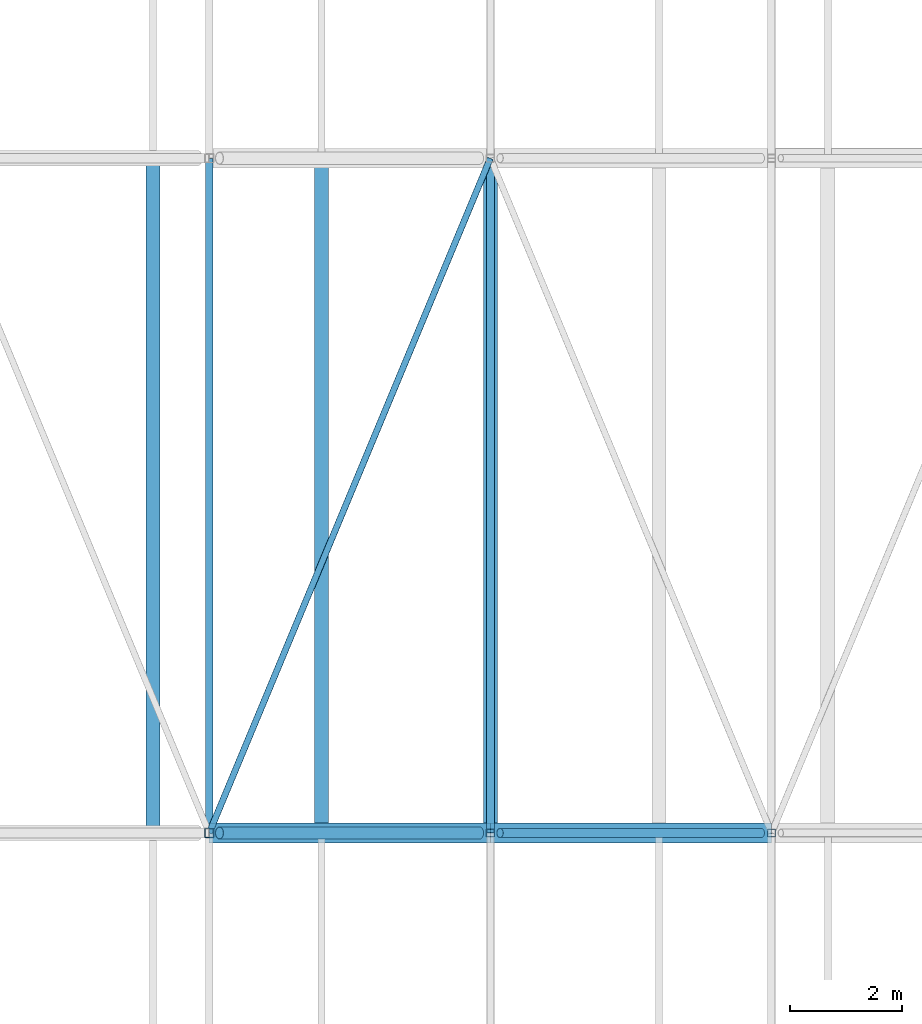
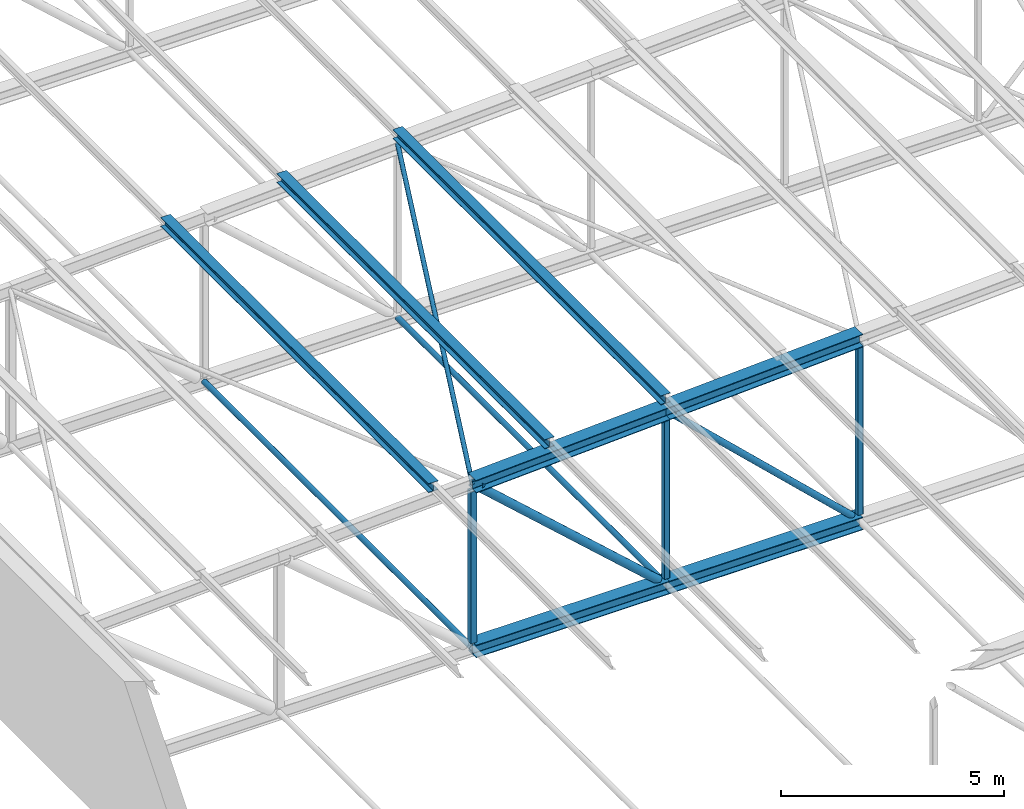
# One storey, part 96 of 156: 15 members.
"""IFC4 building model written with IfcOpenShell, lengths in metres."""

from ifc_helpers import new_model, si_unit, direction, frame, origin, origin_2d, place, context, subcontext, project, spatial, hollow_rectangle, hollow_circle, i_section, extrude, material, material_profile, profile_set, type_object, element, save


model = new_model("IFC4")

# Units and contexts
model_context = context("Model", 3, precision=1e-05, world=origin(), true_north=direction((0.0, 1.0)))
body_context = subcontext(model_context, "Body", "Model", "MODEL_VIEW")
ifc_project = project(units=[si_unit("LENGTHUNIT", "METRE"), si_unit("AREAUNIT", "SQUARE_METRE"), si_unit("VOLUMEUNIT", "CUBIC_METRE"), si_unit("PLANEANGLEUNIT", "RADIAN"), si_unit("MASSUNIT", "GRAM", prefix="KILO")], contexts=[model_context])

# Site, building, storey
site_placement = place(None, origin())
site = spatial("IfcSite", under=ifc_project, at=site_placement, CompositionType="ELEMENT")
building_placement = place(site_placement, origin())
building = spatial("IfcBuilding", under=site, at=building_placement, Name="Lilac Gate Convention Centre", CompositionType="ELEMENT")
storey_placement = place(building_placement, frame((0.0, 0.0, 17.0)))
storey = spatial("IfcBuildingStorey", under=building, at=storey_placement, Name="L03", CompositionType="ELEMENT", Elevation=17.0)

# Members
ifc_material = material(Name="Steel Q355B", Category="steel")
ifc_material_profile_1 = material_profile(ifc_material, hollow_circle(Radius=0.06982421875, WallThickness=0.0048828125, at=origin_2d()), Name="CHS139.7x5")
ifc_profile_set_1 = profile_set([ifc_material_profile_1], Name="Steel Q355B")
member_type_1 = type_object("IfcMemberType", Name="Bottom chord tie CHS139.7x5", PredefinedType="STRUT", material=ifc_profile_set_1)
member_1_placement = place(storey_placement, frame((40.0, 174.00341796875, 0.0), z_axis=(0.0, 1.0, 0.0), x_axis=(-1.0, 0.0, 0.0)))
element("IfcMember", 1, at=member_1_placement, inside=storey, type_object=member_type_1, Name="ST1 tie bay 13 node 3", PredefinedType="STRUT", context=body_context, shape_type="SweptSolid", body=[
    extrude(hollow_circle(Radius=0.06982421875, WallThickness=0.0048828125, at=origin_2d()), origin(), (0.0, 0.0, 1.0), 11.9931640625),
])
member_2_placement = place(storey_placement, frame((45.0, 174.006103515625, 0.0), z_axis=(0.0, 1.0, 0.0), x_axis=(-1.0, 0.0, 0.0)))
element("IfcMember", 2, at=member_2_placement, inside=storey, type_object=member_type_1, Name="ST1 tie bay 13 node 4", PredefinedType="STRUT", context=body_context, shape_type="SweptSolid", body=[
    extrude(hollow_circle(Radius=0.06982421875, WallThickness=0.0048828125, at=origin_2d()), origin(), (0.0, 0.0, 1.0), 11.98779296875),
])
ifc_material_profile_2 = material_profile(ifc_material, hollow_circle(Radius=0.05712890625, WallThickness=0.0048828125, at=origin_2d()), Name="CHS114.3x5")
ifc_profile_set_2 = profile_set([ifc_material_profile_2], Name="Steel Q355B")
member_type_2 = type_object("IfcMemberType", Name="Roof plane bracing CHS114.3x5", PredefinedType="BRACE", material=ifc_profile_set_2)
member_3_placement = place(storey_placement, frame((40.00146484375, 174.00341796875, 4.5), z_axis=(0.384538867181, 0.922908311091, 0.019238215751), x_axis=(-0.923079146825, 0.384610047578, 0.0)))
element("IfcMember", 3, at=member_3_placement, inside=storey, type_object=member_type_2, Name="BR1 plan bracing bay 13 panel 3", PredefinedType="BRACE", context=body_context, shape_type="SweptSolid", body=[
    extrude(hollow_circle(Radius=0.05712890625, WallThickness=0.0048828125, at=origin_2d()), origin(), (0.0, 0.0, 1.0), 12.994873046875),
])
ifc_material_profile_3 = material_profile(ifc_material, i_section(OverallWidth=0.25, OverallDepth=0.25, WebThickness=0.009033203125, FlangeThickness=0.013916015625, FilletRadius=0.012939453125, at=origin_2d()), Name="HW250x250x9x14")
ifc_profile_set_3 = profile_set([ifc_material_profile_3], Name="Steel Q355B")
member_type_3 = type_object("IfcMemberType", Name="Roof purlin HW250x250x9x14", PredefinedType="PURLIN", material=ifc_profile_set_3)
for number, where, z_axis, x_axis, name in (
    (4, (39.0, 174.0, 4.750244140625), (0.0, 1.0, 0.0), (-1.0, 0.0, 0.0), "PU1 purlin bay 13 line 4"),
    (5, (42.0, 174.0, 4.900146484375), (0.0, 1.0, 0.0), (-1.0, 0.0, 0.0), "PU1 purlin bay 13 line 5"),
    (6, (45.0, 174.0, 5.05029296875), (0.0, 1.0, 0.0), (-1.0, 0.0, 0.0), "PU1 purlin bay 13 line 6"),
):
    element("IfcMember", number, at=place(storey_placement, frame(where, z_axis=z_axis, x_axis=x_axis)), inside=storey, type_object=member_type_3, Name=name, PredefinedType="PURLIN", context=body_context, shape_type="SweptSolid", body=[
        extrude(i_section(OverallWidth=0.25, OverallDepth=0.25, WebThickness=0.009033203125, FlangeThickness=0.013916015625, FilletRadius=0.012939453125, at=origin_2d()), origin(), (0.0, 0.0, 1.0), 12.0),
    ])
ifc_material_profile_4 = material_profile(ifc_material, i_section(OverallWidth=0.35009765625, OverallDepth=0.35009765625, WebThickness=0.011962890625, FlangeThickness=0.01904296875, FilletRadius=0.012939453125, at=origin_2d()), Name="HW350x350x12x19")
ifc_profile_set_4 = profile_set([ifc_material_profile_4], Name="Steel Q355B")
member_type_4 = type_object("IfcMemberType", Name="Truss bottom chord HW350x350x12x19", PredefinedType="CHORD", material=ifc_profile_set_4)
for number, where, z_axis, x_axis, name in (
    (7, (40.0, 174.0, 0.0), (1.0, 0.0, 0.0), (0.0, 1.0, 0.0), "TB2 truss 13 bottom chord 3"),
    (8, (45.0, 174.0, 0.0), (1.0, 0.0, 0.0), (0.0, 1.0, 0.0), "TB2 truss 13 bottom chord 4"),
):
    element("IfcMember", number, at=place(storey_placement, frame(where, z_axis=z_axis, x_axis=x_axis)), inside=storey, type_object=member_type_4, Name=name, PredefinedType="CHORD", context=body_context, shape_type="SweptSolid", body=[
        extrude(i_section(OverallWidth=0.35009765625, OverallDepth=0.35009765625, WebThickness=0.011962890625, FlangeThickness=0.01904296875, FilletRadius=0.012939453125, at=origin_2d()), origin(), (0.0, 0.0, 1.0), 5.0),
    ])
ifc_material_profile_5 = material_profile(ifc_material, hollow_circle(Radius=0.084228515625, WallThickness=0.006103515625, at=origin_2d()), Name="CHS168.3x6")
ifc_profile_set_5 = profile_set([ifc_material_profile_5], Name="Steel Q355B")
member_type_5 = type_object("IfcMemberType", Name="Truss diagonal CHS168.3x6", PredefinedType="BRACE", material=ifc_profile_set_5)
member_4_placement = place(storey_placement, frame((45.1728515625, 174.0, 4.585693359375), z_axis=(0.725020373275, 0.0, -0.688727419475), x_axis=(0.0, 1.0, 0.0)))
element("IfcMember", 9, at=member_4_placement, inside=storey, type_object=member_type_5, Name="TW4 truss 13 diagonal 4", PredefinedType="BRACE", context=body_context, shape_type="SweptSolid", body=[
    extrude(hollow_circle(Radius=0.084228515625, WallThickness=0.006103515625, at=origin_2d()), origin(), (0.0, 0.0, 1.0), 6.404052734375),
])
ifc_material_profile_6 = material_profile(ifc_material, hollow_circle(Radius=0.109619140625, WallThickness=0.008056640625, at=origin_2d()), Name="CHS219.1x8")
ifc_profile_set_6 = profile_set([ifc_material_profile_6], Name="Steel Q355B")
member_type_6 = type_object("IfcMemberType", Name="Truss diagonal CHS219.1x8", PredefinedType="BRACE", material=ifc_profile_set_6)
member_5_placement = place(storey_placement, frame((40.1826171875, 174.0, 4.335693359375), z_axis=(0.743301953498, 0.0, -0.668956056797), x_axis=(0.0, 1.0, 0.0)))
element("IfcMember", 10, at=member_5_placement, inside=storey, type_object=member_type_6, Name="TW3 truss 13 diagonal 3", PredefinedType="BRACE", context=body_context, shape_type="SweptSolid", body=[
    extrude(hollow_circle(Radius=0.109619140625, WallThickness=0.008056640625, at=origin_2d()), origin(), (0.0, 0.0, 1.0), 6.2197265625),
])
ifc_material_profile_7 = material_profile(ifc_material, i_section(OverallWidth=0.35009765625, OverallDepth=0.35009765625, WebThickness=0.011962890625, FlangeThickness=0.01904296875, FilletRadius=0.012939453125, at=origin_2d()), Name="HW350x350x12x19")
ifc_profile_set_7 = profile_set([ifc_material_profile_7], Name="Steel Q355B")
member_type_7 = type_object("IfcMemberType", Name="Truss top chord HW350x350x12x19", PredefinedType="CHORD", material=ifc_profile_set_7)
for number, where, z_axis, x_axis, name in (
    (11, (40.0, 174.0, 4.5), (0.998752338878, 0.0, 0.049937616944), (0.0, 1.0, 0.0), "TT2 truss 13 top chord 3"),
    (12, (45.0, 174.0, 4.75), (0.998752338878, 0.0, 0.049937616944), (0.0, 1.0, 0.0), "TT2 truss 13 top chord 4"),
):
    element("IfcMember", number, at=place(storey_placement, frame(where, z_axis=z_axis, x_axis=x_axis)), inside=storey, type_object=member_type_7, Name=name, PredefinedType="CHORD", context=body_context, shape_type="SweptSolid", body=[
        extrude(i_section(OverallWidth=0.35009765625, OverallDepth=0.35009765625, WebThickness=0.011962890625, FlangeThickness=0.01904296875, FilletRadius=0.012939453125, at=origin_2d()), origin(), (0.0, 0.0, 1.0), 5.00634765625),
    ])
ifc_material_profile_8 = material_profile(ifc_material, hollow_rectangle(XDim=0.139892578125, YDim=0.139892578125, WallThickness=0.0048828125, InnerFilletRadius=0.0048828125, OuterFilletRadius=0.010009765625, at=origin_2d()), Name="SHS140x140x5")
ifc_profile_set_8 = profile_set([ifc_material_profile_8], Name="Steel Q355B")
member_type_8 = type_object("IfcMemberType", Name="Truss vertical SHS140x140x5", PredefinedType="STRUT", material=ifc_profile_set_8)
member_6_placement = place(storey_placement, frame((45.0, 174.0, 0.175048828125), z_axis=(0.0, 0.0, 1.0), x_axis=(1.0, 0.0, 0.0)))
element("IfcMember", 13, at=member_6_placement, inside=storey, type_object=member_type_8, Name="TV4 truss 13 vertical 4", PredefinedType="STRUT", context=body_context, shape_type="SweptSolid", body=[
    extrude(hollow_rectangle(XDim=0.139892578125, YDim=0.139892578125, WallThickness=0.0048828125, InnerFilletRadius=0.0048828125, OuterFilletRadius=0.010009765625, at=origin_2d()), origin(), (0.0, 0.0, 1.0), 4.399658203125),
])
member_7_placement = place(storey_placement, frame((50.0, 174.0, 0.175048828125), z_axis=(0.0, 0.0, 1.0), x_axis=(1.0, 0.0, 0.0)))
element("IfcMember", 14, at=member_7_placement, inside=storey, type_object=member_type_8, Name="TV4 truss 13 vertical 5", PredefinedType="STRUT", context=body_context, shape_type="SweptSolid", body=[
    extrude(hollow_rectangle(XDim=0.139892578125, YDim=0.139892578125, WallThickness=0.0048828125, InnerFilletRadius=0.0048828125, OuterFilletRadius=0.010009765625, at=origin_2d()), origin(), (0.0, 0.0, 1.0), 4.649658203125),
])
ifc_material_profile_9 = material_profile(ifc_material, hollow_rectangle(XDim=0.159912109375, YDim=0.159912109375, WallThickness=0.006103515625, InnerFilletRadius=0.006103515625, OuterFilletRadius=0.011962890625, at=origin_2d()), Name="SHS160x160x6")
ifc_profile_set_9 = profile_set([ifc_material_profile_9], Name="Steel Q355B")
member_type_9 = type_object("IfcMemberType", Name="Truss vertical SHS160x160x6", PredefinedType="STRUT", material=ifc_profile_set_9)
member_8_placement = place(storey_placement, frame((40.0, 174.0, 0.175048828125), z_axis=(0.0, 0.0, 1.0), x_axis=(1.0, 0.0, 0.0)))
element("IfcMember", 15, at=member_8_placement, inside=storey, type_object=member_type_9, Name="TV3 truss 13 vertical 3", PredefinedType="STRUT", context=body_context, shape_type="SweptSolid", body=[
    extrude(hollow_rectangle(XDim=0.159912109375, YDim=0.159912109375, WallThickness=0.006103515625, InnerFilletRadius=0.006103515625, OuterFilletRadius=0.011962890625, at=origin_2d()), origin(), (0.0, 0.0, 1.0), 4.149658203125),
])

save(model, "model.ifc")
